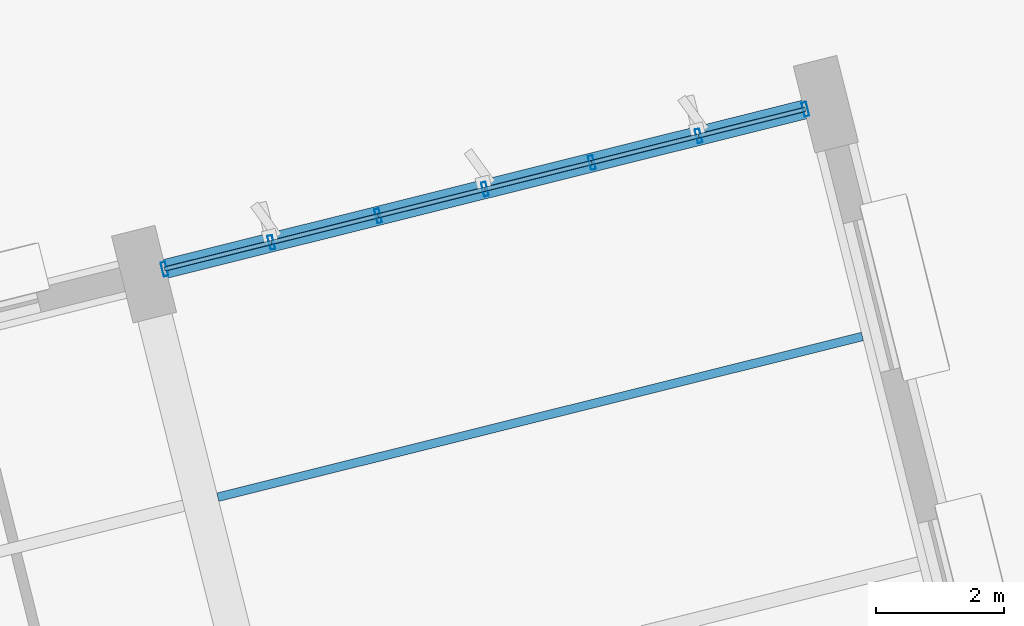
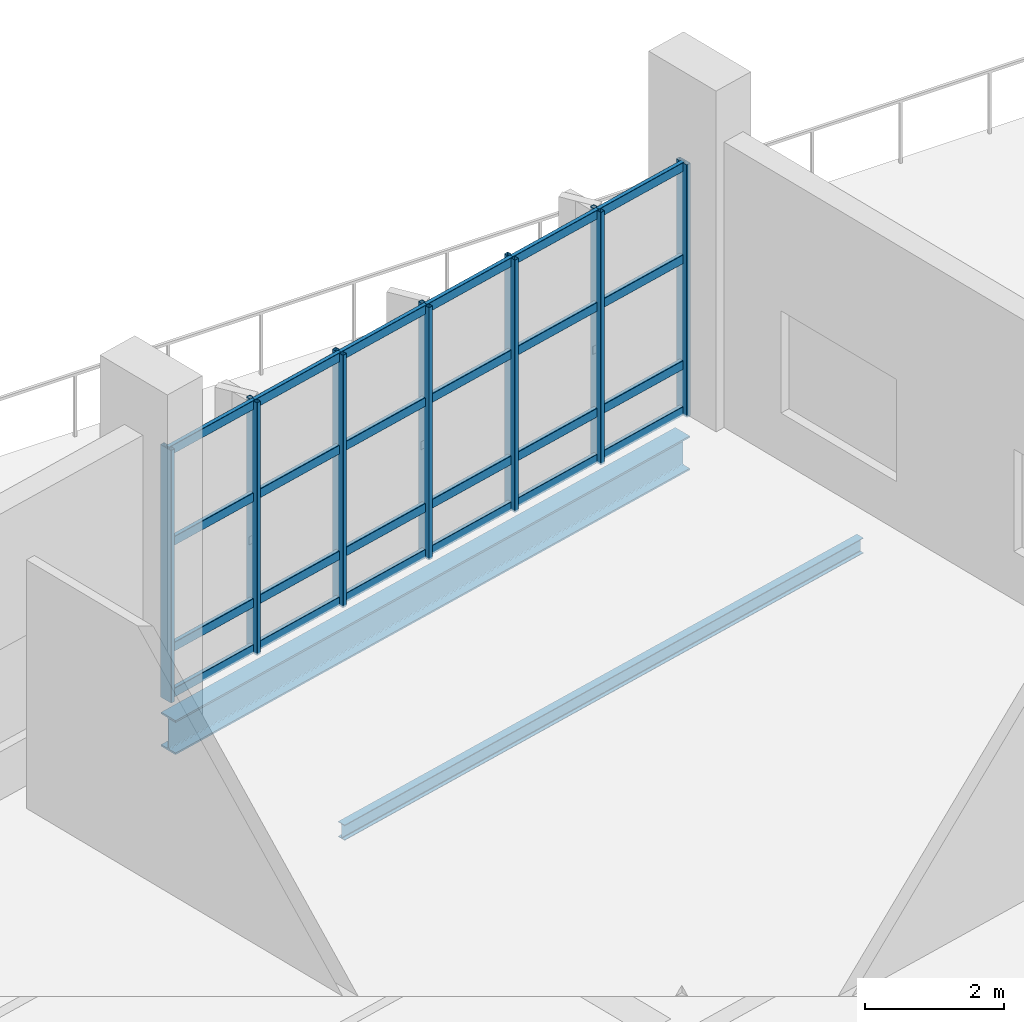
# One storey, part 105 of 163: 31 members, 2 beams, 1 element without a shape of its own.
"""IFC4 building model written with IfcOpenShell, lengths in metres."""

from ifc_helpers import new_model, si_unit, direction, frame, origin, origin_2d, place, context, subcontext, project, spatial, hollow_rectangle, i_section, extrude, material, layer, layer_set, material_profile, profile_set, type_object, element, aggregate, save


model = new_model("IFC4")

# Units and contexts
model_context = context("Model", 3, precision=1e-05, world=origin(), true_north=direction((0.0, 1.0)))
body_context = subcontext(model_context, "Body", "Model", "MODEL_VIEW")
ifc_project = project(units=[si_unit("LENGTHUNIT", "METRE"), si_unit("AREAUNIT", "SQUARE_METRE"), si_unit("VOLUMEUNIT", "CUBIC_METRE"), si_unit("PLANEANGLEUNIT", "RADIAN"), si_unit("MASSUNIT", "GRAM", prefix="KILO")], contexts=[model_context])

# Site, building, storey
site_placement = place(None, origin())
site = spatial("IfcSite", under=ifc_project, at=site_placement, CompositionType="ELEMENT")
building_placement = place(site_placement, origin())
building = spatial("IfcBuilding", under=site, at=building_placement, Name="Khorjan Park Terminus", CompositionType="ELEMENT")
storey_placement = place(building_placement, origin())
storey = spatial("IfcBuildingStorey", under=building, at=storey_placement, Name="L00", CompositionType="ELEMENT", Elevation=0.0)

# Beams
ifc_material_1 = material(Name="Steel S355", Category="steel")
ifc_material_profile_1 = material_profile(ifc_material_1, i_section(OverallWidth=0.3, OverallDepth=0.6, WebThickness=0.0155, FlangeThickness=0.03, FilletRadius=0.027, at=origin_2d()), Name="HEB 600")
ifc_profile_set_1 = profile_set([ifc_material_profile_1], Name="Steel S355")
beam_type_1 = type_object("IfcBeamType", Name="BM-HEB600", PredefinedType="BEAM", material=ifc_profile_set_1)
beam_1_placement = place(storey_placement, frame((203.7342, 79.4287, -0.65), z_axis=(0.970295784153, 0.241921663468, 0.0), x_axis=(-0.241921663468, 0.970295784153, 0.0)))
element("IfcBeam", 1, at=beam_1_placement, inside=storey, type_object=beam_type_1, Name="Primary skew-grid floor girder SB-B60 (L00)", PredefinedType="BEAM", context=body_context, shape_type="SweptSolid", body=[
    extrude(i_section(OverallWidth=0.3, OverallDepth=0.6, WebThickness=0.0155, FlangeThickness=0.03, FilletRadius=0.027, at=origin_2d()), origin(), (0.0, 0.0, 1.0), 10.3099),
])
ifc_material_profile_2 = material_profile(ifc_material_1, i_section(OverallWidth=0.135, OverallDepth=0.27, WebThickness=0.0066, FlangeThickness=0.0102, FilletRadius=0.015, at=origin_2d()), Name="IPE 270")
ifc_profile_set_2 = profile_set([ifc_material_profile_2], Name="Steel S355")
beam_type_2 = type_object("IfcBeamType", Name="JS-IPE270", PredefinedType="JOIST", material=ifc_profile_set_2)
beam_2_placement = place(storey_placement, frame((204.5533, 75.854, -0.485), z_axis=(0.970295586552, 0.241922456002, 0.0), x_axis=(-0.241922456002, 0.970295586552, 0.0)))
element("IfcBeam", 2, at=beam_2_placement, inside=storey, type_object=beam_type_2, Name="Secondary composite floor joist SJ-27 (L00)", PredefinedType="JOIST", context=body_context, shape_type="SweptSolid", body=[
    extrude(i_section(OverallWidth=0.135, OverallDepth=0.27, WebThickness=0.0066, FlangeThickness=0.0102, FilletRadius=0.015, at=origin_2d()), origin(), (0.0, 0.0, 1.0), 10.4),
])

# Curtain wall, members
ifc_material_2 = material(Name="Anodized Bronze Aluminium", Category="aluminium")
ifc_layer = layer(ifc_material_2, 0.22)
ifc_layer_set = layer_set([ifc_layer], Name="Anodized Bronze Aluminium")
curtain_wall_type = type_object("IfcCurtainWallType", Name="CW-OPS-B", PredefinedType="NOTDEFINED", material=ifc_layer_set)
curtain_wall_placement = place(storey_placement, origin())
curtain_wall = element("IfcCurtainWall", 3, at=curtain_wall_placement, inside=storey, type_object=curtain_wall_type, Name="Unitized curtain wall CW-B (CW-V5-N-L00-B01)", PredefinedType="NOTDEFINED")
ifc_material_profile_3 = material_profile(ifc_material_2, hollow_rectangle(XDim=0.075, YDim=0.225, WallThickness=0.005, InnerFilletRadius=0.005, OuterFilletRadius=0.01, at=origin_2d()), Name="ALM 75x225x5")
ifc_profile_set_3 = profile_set([ifc_material_profile_3], Name="Anodized Bronze Aluminium")
member_type_1 = type_object("IfcMemberType", Name="ML-ALM-225", PredefinedType="MULLION", material=ifc_profile_set_3)
member_1_placement = place(storey_placement, frame((213.7527, 81.9266, -0.035), z_axis=(0.0, 0.0, 1.0), x_axis=(-0.970294194364, -0.241928039679, 0.0)))
member_1 = element("IfcMember", 4, at=member_1_placement, type_object=member_type_1, Name="Curtain-wall mullion ML-22 (CW-V5-N-L00-B01-0)", PredefinedType="MULLION", context=body_context, shape_type="SweptSolid", body=[
    extrude(hollow_rectangle(XDim=0.075, YDim=0.225, WallThickness=0.005, InnerFilletRadius=0.005, OuterFilletRadius=0.01, at=origin_2d()), origin(), (0.0, 0.0, 1.0), 4.445),
])
member_2_placement = place(storey_placement, frame((212.0805, 81.5096, -0.035), z_axis=(0.0, 0.0, 1.0), x_axis=(-0.970294194364, -0.241928039679, 0.0)))
member_2 = element("IfcMember", 5, at=member_2_placement, type_object=member_type_1, Name="Curtain-wall mullion ML-22 (CW-V5-N-L00-B01-1)", PredefinedType="MULLION", context=body_context, shape_type="SweptSolid", body=[
    extrude(hollow_rectangle(XDim=0.075, YDim=0.225, WallThickness=0.005, InnerFilletRadius=0.005, OuterFilletRadius=0.01, at=origin_2d()), origin(), (0.0, 0.0, 1.0), 4.445),
])
member_3_placement = place(storey_placement, frame((210.4082, 81.0927, -0.035), z_axis=(0.0, 0.0, 1.0), x_axis=(-0.970294194364, -0.241928039679, 0.0)))
member_3 = element("IfcMember", 6, at=member_3_placement, type_object=member_type_1, Name="Curtain-wall mullion ML-22 (CW-V5-N-L00-B01-2)", PredefinedType="MULLION", context=body_context, shape_type="SweptSolid", body=[
    extrude(hollow_rectangle(XDim=0.075, YDim=0.225, WallThickness=0.005, InnerFilletRadius=0.005, OuterFilletRadius=0.01, at=origin_2d()), origin(), (0.0, 0.0, 1.0), 4.445),
])
member_4_placement = place(storey_placement, frame((208.736, 80.6757, -0.035), z_axis=(0.0, 0.0, 1.0), x_axis=(-0.970294194364, -0.241928039679, 0.0)))
member_4 = element("IfcMember", 7, at=member_4_placement, type_object=member_type_1, Name="Curtain-wall mullion ML-22 (CW-V5-N-L00-B01-3)", PredefinedType="MULLION", context=body_context, shape_type="SweptSolid", body=[
    extrude(hollow_rectangle(XDim=0.075, YDim=0.225, WallThickness=0.005, InnerFilletRadius=0.005, OuterFilletRadius=0.01, at=origin_2d()), origin(), (0.0, 0.0, 1.0), 4.445),
])
member_5_placement = place(storey_placement, frame((207.0637, 80.2588, -0.035), z_axis=(0.0, 0.0, 1.0), x_axis=(-0.970294194364, -0.241928039679, 0.0)))
member_5 = element("IfcMember", 8, at=member_5_placement, type_object=member_type_1, Name="Curtain-wall mullion ML-22 (CW-V5-N-L00-B01-4)", PredefinedType="MULLION", context=body_context, shape_type="SweptSolid", body=[
    extrude(hollow_rectangle(XDim=0.075, YDim=0.225, WallThickness=0.005, InnerFilletRadius=0.005, OuterFilletRadius=0.01, at=origin_2d()), origin(), (0.0, 0.0, 1.0), 4.445),
])
member_6_placement = place(storey_placement, frame((205.3914, 79.8418, -0.035), z_axis=(0.0, 0.0, 1.0), x_axis=(-0.970294194364, -0.241928039679, 0.0)))
member_6 = element("IfcMember", 9, at=member_6_placement, type_object=member_type_1, Name="Curtain-wall mullion ML-22 (CW-V5-N-L00-B01-5)", PredefinedType="MULLION", context=body_context, shape_type="SweptSolid", body=[
    extrude(hollow_rectangle(XDim=0.075, YDim=0.225, WallThickness=0.005, InnerFilletRadius=0.005, OuterFilletRadius=0.01, at=origin_2d()), origin(), (0.0, 0.0, 1.0), 4.445),
])
member_7_placement = place(storey_placement, frame((203.7192, 79.4249, -0.035), z_axis=(0.0, 0.0, 1.0), x_axis=(-0.970294194364, -0.241928039679, 0.0)))
member_7 = element("IfcMember", 10, at=member_7_placement, type_object=member_type_1, Name="Curtain-wall mullion ML-22 (CW-V5-N-L00-B01-6)", PredefinedType="MULLION", context=body_context, shape_type="SweptSolid", body=[
    extrude(hollow_rectangle(XDim=0.075, YDim=0.225, WallThickness=0.005, InnerFilletRadius=0.005, OuterFilletRadius=0.01, at=origin_2d()), origin(), (0.0, 0.0, 1.0), 4.445),
])
ifc_material_profile_4 = material_profile(ifc_material_2, hollow_rectangle(XDim=0.07, YDim=0.16, WallThickness=0.004, InnerFilletRadius=0.004, OuterFilletRadius=0.008, at=origin_2d()), Name="ALT 70x160x4")
ifc_profile_set_4 = profile_set([ifc_material_profile_4], Name="Anodized Bronze Aluminium")
member_type_2 = type_object("IfcMemberType", Name="TR-ALT-160", PredefinedType="USERDEFINED", material=ifc_profile_set_4)
member_8_placement = place(storey_placement, frame((213.7527, 81.9266, 0.04), z_axis=(-0.970285685328, -0.241962164084, 0.0), x_axis=(0.241962164084, -0.970285685328, 0.0)))
member_8 = element("IfcMember", 11, at=member_8_placement, type_object=member_type_2, Name="Curtain-wall transom TR-16 (CW-V5-N-L00-B01-0-1)", ObjectType="TRANSOM", PredefinedType="USERDEFINED", context=body_context, shape_type="SweptSolid", body=[
    extrude(hollow_rectangle(XDim=0.07, YDim=0.16, WallThickness=0.004, InnerFilletRadius=0.004, OuterFilletRadius=0.008, at=origin_2d()), origin(), (0.0, 0.0, 1.0), 1.7234),
])
member_9_placement = place(storey_placement, frame((213.7527, 81.9266, 0.85), z_axis=(-0.970285685328, -0.241962164084, 0.0), x_axis=(0.241962164084, -0.970285685328, 0.0)))
member_9 = element("IfcMember", 12, at=member_9_placement, type_object=member_type_2, Name="Curtain-wall transom TR-16 (CW-V5-N-L00-B01-0-2)", ObjectType="TRANSOM", PredefinedType="USERDEFINED", context=body_context, shape_type="SweptSolid", body=[
    extrude(hollow_rectangle(XDim=0.07, YDim=0.16, WallThickness=0.004, InnerFilletRadius=0.004, OuterFilletRadius=0.008, at=origin_2d()), origin(), (0.0, 0.0, 1.0), 1.7234),
])
member_10_placement = place(storey_placement, frame((213.7527, 81.9266, 2.7125), z_axis=(-0.970285685328, -0.241962164084, 0.0), x_axis=(0.241962164084, -0.970285685328, 0.0)))
member_10 = element("IfcMember", 13, at=member_10_placement, type_object=member_type_2, Name="Curtain-wall transom TR-16 (CW-V5-N-L00-B01-0-3)", ObjectType="TRANSOM", PredefinedType="USERDEFINED", context=body_context, shape_type="SweptSolid", body=[
    extrude(hollow_rectangle(XDim=0.07, YDim=0.16, WallThickness=0.004, InnerFilletRadius=0.004, OuterFilletRadius=0.008, at=origin_2d()), origin(), (0.0, 0.0, 1.0), 1.7234),
])
member_11_placement = place(storey_placement, frame((213.7527, 81.9266, 4.335), z_axis=(-0.970285685328, -0.241962164084, 0.0), x_axis=(0.241962164084, -0.970285685328, 0.0)))
member_11 = element("IfcMember", 14, at=member_11_placement, type_object=member_type_2, Name="Curtain-wall transom TR-16 (CW-V5-N-L00-B01-0-4)", ObjectType="TRANSOM", PredefinedType="USERDEFINED", context=body_context, shape_type="SweptSolid", body=[
    extrude(hollow_rectangle(XDim=0.07, YDim=0.16, WallThickness=0.004, InnerFilletRadius=0.004, OuterFilletRadius=0.008, at=origin_2d()), origin(), (0.0, 0.0, 1.0), 1.7234),
])
member_12_placement = place(storey_placement, frame((212.0805, 81.5096, 0.04), z_axis=(-0.970302701845, -0.241893916402, 0.0), x_axis=(0.241893916402, -0.970302701845, 0.0)))
member_12 = element("IfcMember", 15, at=member_12_placement, type_object=member_type_2, Name="Curtain-wall transom TR-16 (CW-V5-N-L00-B01-1-1)", ObjectType="TRANSOM", PredefinedType="USERDEFINED", context=body_context, shape_type="SweptSolid", body=[
    extrude(hollow_rectangle(XDim=0.07, YDim=0.16, WallThickness=0.004, InnerFilletRadius=0.004, OuterFilletRadius=0.008, at=origin_2d()), origin(), (0.0, 0.0, 1.0), 1.7235),
])
member_13_placement = place(storey_placement, frame((212.0805, 81.5096, 0.85), z_axis=(-0.970302701845, -0.241893916402, 0.0), x_axis=(0.241893916402, -0.970302701845, 0.0)))
member_13 = element("IfcMember", 16, at=member_13_placement, type_object=member_type_2, Name="Curtain-wall transom TR-16 (CW-V5-N-L00-B01-1-2)", ObjectType="TRANSOM", PredefinedType="USERDEFINED", context=body_context, shape_type="SweptSolid", body=[
    extrude(hollow_rectangle(XDim=0.07, YDim=0.16, WallThickness=0.004, InnerFilletRadius=0.004, OuterFilletRadius=0.008, at=origin_2d()), origin(), (0.0, 0.0, 1.0), 1.7235),
])
member_14_placement = place(storey_placement, frame((212.0805, 81.5096, 2.7125), z_axis=(-0.970302701845, -0.241893916402, 0.0), x_axis=(0.241893916402, -0.970302701845, 0.0)))
member_14 = element("IfcMember", 17, at=member_14_placement, type_object=member_type_2, Name="Curtain-wall transom TR-16 (CW-V5-N-L00-B01-1-3)", ObjectType="TRANSOM", PredefinedType="USERDEFINED", context=body_context, shape_type="SweptSolid", body=[
    extrude(hollow_rectangle(XDim=0.07, YDim=0.16, WallThickness=0.004, InnerFilletRadius=0.004, OuterFilletRadius=0.008, at=origin_2d()), origin(), (0.0, 0.0, 1.0), 1.7235),
])
member_15_placement = place(storey_placement, frame((212.0805, 81.5096, 4.335), z_axis=(-0.970302701845, -0.241893916402, 0.0), x_axis=(0.241893916402, -0.970302701845, 0.0)))
member_15 = element("IfcMember", 18, at=member_15_placement, type_object=member_type_2, Name="Curtain-wall transom TR-16 (CW-V5-N-L00-B01-1-4)", ObjectType="TRANSOM", PredefinedType="USERDEFINED", context=body_context, shape_type="SweptSolid", body=[
    extrude(hollow_rectangle(XDim=0.07, YDim=0.16, WallThickness=0.004, InnerFilletRadius=0.004, OuterFilletRadius=0.008, at=origin_2d()), origin(), (0.0, 0.0, 1.0), 1.7235),
])
member_16_placement = place(storey_placement, frame((210.4082, 81.0927, 0.04), z_axis=(-0.970285685328, -0.241962164084, 0.0), x_axis=(0.241962164084, -0.970285685328, 0.0)))
member_16 = element("IfcMember", 19, at=member_16_placement, type_object=member_type_2, Name="Curtain-wall transom TR-16 (CW-V5-N-L00-B01-2-1)", ObjectType="TRANSOM", PredefinedType="USERDEFINED", context=body_context, shape_type="SweptSolid", body=[
    extrude(hollow_rectangle(XDim=0.07, YDim=0.16, WallThickness=0.004, InnerFilletRadius=0.004, OuterFilletRadius=0.008, at=origin_2d()), origin(), (0.0, 0.0, 1.0), 1.7234),
])
member_17_placement = place(storey_placement, frame((210.4082, 81.0927, 0.85), z_axis=(-0.970285685328, -0.241962164084, 0.0), x_axis=(0.241962164084, -0.970285685328, 0.0)))
member_17 = element("IfcMember", 20, at=member_17_placement, type_object=member_type_2, Name="Curtain-wall transom TR-16 (CW-V5-N-L00-B01-2-2)", ObjectType="TRANSOM", PredefinedType="USERDEFINED", context=body_context, shape_type="SweptSolid", body=[
    extrude(hollow_rectangle(XDim=0.07, YDim=0.16, WallThickness=0.004, InnerFilletRadius=0.004, OuterFilletRadius=0.008, at=origin_2d()), origin(), (0.0, 0.0, 1.0), 1.7234),
])
member_18_placement = place(storey_placement, frame((210.4082, 81.0927, 2.7125), z_axis=(-0.970285685328, -0.241962164084, 0.0), x_axis=(0.241962164084, -0.970285685328, 0.0)))
member_18 = element("IfcMember", 21, at=member_18_placement, type_object=member_type_2, Name="Curtain-wall transom TR-16 (CW-V5-N-L00-B01-2-3)", ObjectType="TRANSOM", PredefinedType="USERDEFINED", context=body_context, shape_type="SweptSolid", body=[
    extrude(hollow_rectangle(XDim=0.07, YDim=0.16, WallThickness=0.004, InnerFilletRadius=0.004, OuterFilletRadius=0.008, at=origin_2d()), origin(), (0.0, 0.0, 1.0), 1.7234),
])
member_19_placement = place(storey_placement, frame((210.4082, 81.0927, 4.335), z_axis=(-0.970285685328, -0.241962164084, 0.0), x_axis=(0.241962164084, -0.970285685328, 0.0)))
member_19 = element("IfcMember", 22, at=member_19_placement, type_object=member_type_2, Name="Curtain-wall transom TR-16 (CW-V5-N-L00-B01-2-4)", ObjectType="TRANSOM", PredefinedType="USERDEFINED", context=body_context, shape_type="SweptSolid", body=[
    extrude(hollow_rectangle(XDim=0.07, YDim=0.16, WallThickness=0.004, InnerFilletRadius=0.004, OuterFilletRadius=0.008, at=origin_2d()), origin(), (0.0, 0.0, 1.0), 1.7234),
])
member_20_placement = place(storey_placement, frame((208.736, 80.6757, 0.04), z_axis=(-0.970302701845, -0.241893916402, 0.0), x_axis=(0.241893916402, -0.970302701845, 0.0)))
member_20 = element("IfcMember", 23, at=member_20_placement, type_object=member_type_2, Name="Curtain-wall transom TR-16 (CW-V5-N-L00-B01-3-1)", ObjectType="TRANSOM", PredefinedType="USERDEFINED", context=body_context, shape_type="SweptSolid", body=[
    extrude(hollow_rectangle(XDim=0.07, YDim=0.16, WallThickness=0.004, InnerFilletRadius=0.004, OuterFilletRadius=0.008, at=origin_2d()), origin(), (0.0, 0.0, 1.0), 1.7235),
])
member_21_placement = place(storey_placement, frame((208.736, 80.6757, 0.85), z_axis=(-0.970302701845, -0.241893916402, 0.0), x_axis=(0.241893916402, -0.970302701845, 0.0)))
member_21 = element("IfcMember", 24, at=member_21_placement, type_object=member_type_2, Name="Curtain-wall transom TR-16 (CW-V5-N-L00-B01-3-2)", ObjectType="TRANSOM", PredefinedType="USERDEFINED", context=body_context, shape_type="SweptSolid", body=[
    extrude(hollow_rectangle(XDim=0.07, YDim=0.16, WallThickness=0.004, InnerFilletRadius=0.004, OuterFilletRadius=0.008, at=origin_2d()), origin(), (0.0, 0.0, 1.0), 1.7235),
])
member_22_placement = place(storey_placement, frame((208.736, 80.6757, 2.7125), z_axis=(-0.970302701845, -0.241893916402, 0.0), x_axis=(0.241893916402, -0.970302701845, 0.0)))
member_22 = element("IfcMember", 25, at=member_22_placement, type_object=member_type_2, Name="Curtain-wall transom TR-16 (CW-V5-N-L00-B01-3-3)", ObjectType="TRANSOM", PredefinedType="USERDEFINED", context=body_context, shape_type="SweptSolid", body=[
    extrude(hollow_rectangle(XDim=0.07, YDim=0.16, WallThickness=0.004, InnerFilletRadius=0.004, OuterFilletRadius=0.008, at=origin_2d()), origin(), (0.0, 0.0, 1.0), 1.7235),
])
member_23_placement = place(storey_placement, frame((208.736, 80.6757, 4.335), z_axis=(-0.970302701845, -0.241893916402, 0.0), x_axis=(0.241893916402, -0.970302701845, 0.0)))
member_23 = element("IfcMember", 26, at=member_23_placement, type_object=member_type_2, Name="Curtain-wall transom TR-16 (CW-V5-N-L00-B01-3-4)", ObjectType="TRANSOM", PredefinedType="USERDEFINED", context=body_context, shape_type="SweptSolid", body=[
    extrude(hollow_rectangle(XDim=0.07, YDim=0.16, WallThickness=0.004, InnerFilletRadius=0.004, OuterFilletRadius=0.008, at=origin_2d()), origin(), (0.0, 0.0, 1.0), 1.7235),
])
member_24_placement = place(storey_placement, frame((207.0637, 80.2588, 0.04), z_axis=(-0.970289082125, -0.241948542275, 0.0), x_axis=(0.241948542275, -0.970289082125, 0.0)))
member_24 = element("IfcMember", 27, at=member_24_placement, type_object=member_type_2, Name="Curtain-wall transom TR-16 (CW-V5-N-L00-B01-4-1)", ObjectType="TRANSOM", PredefinedType="USERDEFINED", context=body_context, shape_type="SweptSolid", body=[
    extrude(hollow_rectangle(XDim=0.07, YDim=0.16, WallThickness=0.004, InnerFilletRadius=0.004, OuterFilletRadius=0.008, at=origin_2d()), origin(), (0.0, 0.0, 1.0), 1.7235),
])
member_25_placement = place(storey_placement, frame((207.0637, 80.2588, 0.85), z_axis=(-0.970289082125, -0.241948542275, 0.0), x_axis=(0.241948542275, -0.970289082125, 0.0)))
member_25 = element("IfcMember", 28, at=member_25_placement, type_object=member_type_2, Name="Curtain-wall transom TR-16 (CW-V5-N-L00-B01-4-2)", ObjectType="TRANSOM", PredefinedType="USERDEFINED", context=body_context, shape_type="SweptSolid", body=[
    extrude(hollow_rectangle(XDim=0.07, YDim=0.16, WallThickness=0.004, InnerFilletRadius=0.004, OuterFilletRadius=0.008, at=origin_2d()), origin(), (0.0, 0.0, 1.0), 1.7235),
])
member_26_placement = place(storey_placement, frame((207.0637, 80.2588, 2.7125), z_axis=(-0.970289082125, -0.241948542275, 0.0), x_axis=(0.241948542275, -0.970289082125, 0.0)))
member_26 = element("IfcMember", 29, at=member_26_placement, type_object=member_type_2, Name="Curtain-wall transom TR-16 (CW-V5-N-L00-B01-4-3)", ObjectType="TRANSOM", PredefinedType="USERDEFINED", context=body_context, shape_type="SweptSolid", body=[
    extrude(hollow_rectangle(XDim=0.07, YDim=0.16, WallThickness=0.004, InnerFilletRadius=0.004, OuterFilletRadius=0.008, at=origin_2d()), origin(), (0.0, 0.0, 1.0), 1.7235),
])
member_27_placement = place(storey_placement, frame((207.0637, 80.2588, 4.335), z_axis=(-0.970289082125, -0.241948542275, 0.0), x_axis=(0.241948542275, -0.970289082125, 0.0)))
member_27 = element("IfcMember", 30, at=member_27_placement, type_object=member_type_2, Name="Curtain-wall transom TR-16 (CW-V5-N-L00-B01-4-4)", ObjectType="TRANSOM", PredefinedType="USERDEFINED", context=body_context, shape_type="SweptSolid", body=[
    extrude(hollow_rectangle(XDim=0.07, YDim=0.16, WallThickness=0.004, InnerFilletRadius=0.004, OuterFilletRadius=0.008, at=origin_2d()), origin(), (0.0, 0.0, 1.0), 1.7235),
])
member_28_placement = place(storey_placement, frame((205.3914, 79.8418, 0.04), z_axis=(-0.970299306534, -0.241907535518, 0.0), x_axis=(0.241907535518, -0.970299306534, 0.0)))
member_28 = element("IfcMember", 31, at=member_28_placement, type_object=member_type_2, Name="Curtain-wall transom TR-16 (CW-V5-N-L00-B01-5-1)", ObjectType="TRANSOM", PredefinedType="USERDEFINED", context=body_context, shape_type="SweptSolid", body=[
    extrude(hollow_rectangle(XDim=0.07, YDim=0.16, WallThickness=0.004, InnerFilletRadius=0.004, OuterFilletRadius=0.008, at=origin_2d()), origin(), (0.0, 0.0, 1.0), 1.7234),
])
member_29_placement = place(storey_placement, frame((205.3914, 79.8418, 0.85), z_axis=(-0.970299306534, -0.241907535518, 0.0), x_axis=(0.241907535518, -0.970299306534, 0.0)))
member_29 = element("IfcMember", 32, at=member_29_placement, type_object=member_type_2, Name="Curtain-wall transom TR-16 (CW-V5-N-L00-B01-5-2)", ObjectType="TRANSOM", PredefinedType="USERDEFINED", context=body_context, shape_type="SweptSolid", body=[
    extrude(hollow_rectangle(XDim=0.07, YDim=0.16, WallThickness=0.004, InnerFilletRadius=0.004, OuterFilletRadius=0.008, at=origin_2d()), origin(), (0.0, 0.0, 1.0), 1.7234),
])
member_30_placement = place(storey_placement, frame((205.3914, 79.8418, 2.7125), z_axis=(-0.970299306534, -0.241907535518, 0.0), x_axis=(0.241907535518, -0.970299306534, 0.0)))
member_30 = element("IfcMember", 33, at=member_30_placement, type_object=member_type_2, Name="Curtain-wall transom TR-16 (CW-V5-N-L00-B01-5-3)", ObjectType="TRANSOM", PredefinedType="USERDEFINED", context=body_context, shape_type="SweptSolid", body=[
    extrude(hollow_rectangle(XDim=0.07, YDim=0.16, WallThickness=0.004, InnerFilletRadius=0.004, OuterFilletRadius=0.008, at=origin_2d()), origin(), (0.0, 0.0, 1.0), 1.7234),
])
member_31_placement = place(storey_placement, frame((205.3914, 79.8418, 4.335), z_axis=(-0.970299306534, -0.241907535518, 0.0), x_axis=(0.241907535518, -0.970299306534, 0.0)))
member_31 = element("IfcMember", 34, at=member_31_placement, type_object=member_type_2, Name="Curtain-wall transom TR-16 (CW-V5-N-L00-B01-5-4)", ObjectType="TRANSOM", PredefinedType="USERDEFINED", context=body_context, shape_type="SweptSolid", body=[
    extrude(hollow_rectangle(XDim=0.07, YDim=0.16, WallThickness=0.004, InnerFilletRadius=0.004, OuterFilletRadius=0.008, at=origin_2d()), origin(), (0.0, 0.0, 1.0), 1.7234),
])
aggregate(curtain_wall, [member_1, member_2, member_3, member_4, member_5, member_6, member_7, member_8, member_9, member_10, member_11, member_12, member_13, member_14, member_15, member_16, member_17, member_18, member_19, member_20, member_21, member_22, member_23, member_24, member_25, member_26, member_27, member_28, member_29, member_30, member_31])

save(model, "model.ifc")
